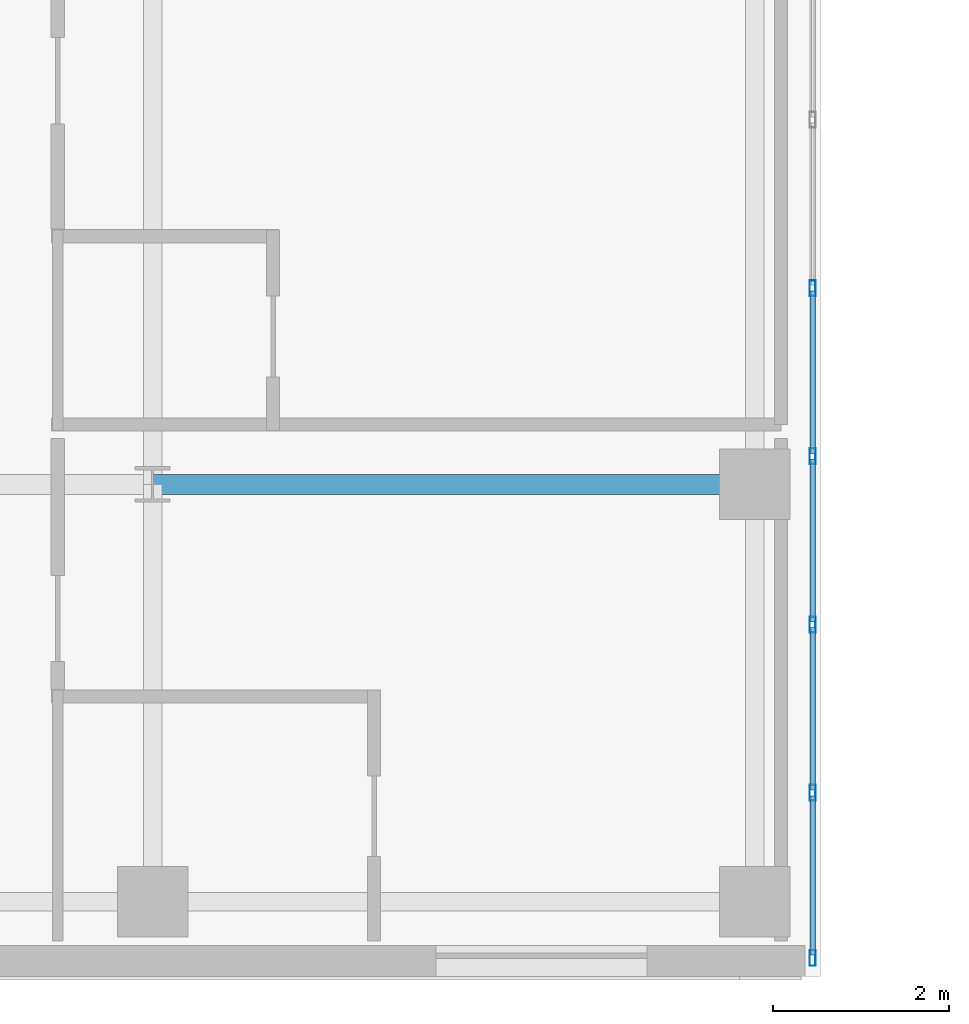
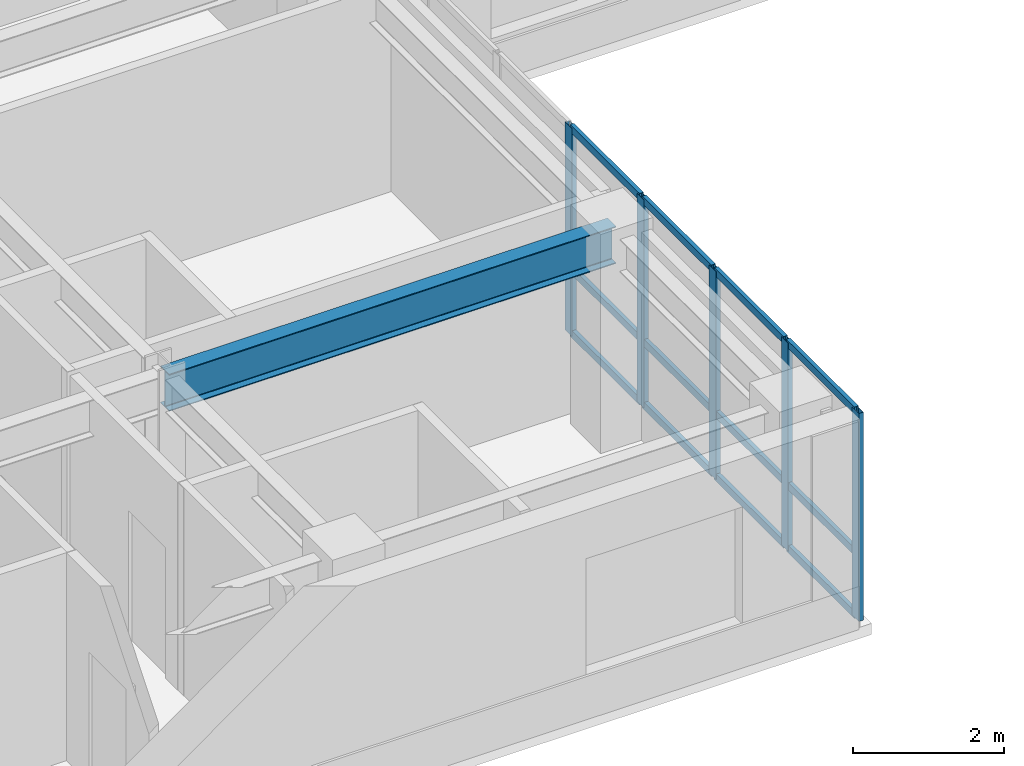
# One storey, part 3 of 20: 17 members, 1 beam, 1 element without a shape of its own.
"""IFC4 building model written with IfcOpenShell, lengths in metres."""

from ifc_helpers import new_model, si_unit, direction, frame, origin, origin_2d, place, context, subcontext, project, spatial, hollow_rectangle, i_section, extrude, source, transform, mapped, material, layer, layer_set, material_profile, profile_set, type_object, type_shapes, element, aggregate, save


model = new_model("IFC4")

# Units and contexts
model_context = context("Model", 3, precision=1e-05, world=origin(), true_north=direction((0.0, 1.0)))
body_context = subcontext(model_context, "Body", "Model", "MODEL_VIEW")
ifc_project = project(units=[si_unit("LENGTHUNIT", "METRE"), si_unit("AREAUNIT", "SQUARE_METRE"), si_unit("VOLUMEUNIT", "CUBIC_METRE"), si_unit("PLANEANGLEUNIT", "RADIAN"), si_unit("MASSUNIT", "GRAM", prefix="KILO")], contexts=[model_context])

# Site, building, storey
site_placement = place(None, origin())
site = spatial("IfcSite", under=ifc_project, at=site_placement, CompositionType="ELEMENT")
building_placement = place(site_placement, origin())
building = spatial("IfcBuilding", under=site, at=building_placement, Name="Tolvann Quenvar Hotel", CompositionType="ELEMENT")
storey_placement = place(building_placement, frame((0.0, 0.0, 191.10009765625)))
storey = spatial("IfcBuildingStorey", under=building, at=storey_placement, Name="L50", CompositionType="ELEMENT", Elevation=191.10009765625)

# Beam
ifc_material_1 = material(Name="Steel Grade 350", Category="steel")
ifc_material_profile_1 = material_profile(ifc_material_1, i_section(OverallWidth=0.22802734375, OverallDepth=0.60205078125, WebThickness=0.010498046875, FlangeThickness=0.014892578125, FilletRadius=0.013916015625, at=origin_2d()), Name="610UB101")
ifc_profile_set_1 = profile_set([ifc_material_profile_1], Name="Steel Grade 350")
beam_type = type_object("IfcBeamType", Name="BM_GIRD_610UB101", PredefinedType="BEAM", material=ifc_profile_set_1)
shared_shape_1 = source(origin(), body_context, "Body", "SweptSolid", [
    extrude(i_section(OverallWidth=0.22802734375, OverallDepth=0.60205078125, WebThickness=0.010498046875, FlangeThickness=0.014892578125, FilletRadius=0.013916015625, at=origin_2d()), origin(), (0.0, 0.0, 1.0), 6.85009765625),
])
type_shapes(beam_type, [shared_shape_1])
beam_placement = place(storey_placement, frame((15.199951171875, 8.199951171875, 3.06884765625), z_axis=(1.0, 0.0, 0.0), x_axis=(0.0, 1.0, 0.0)))
element("IfcBeam", 1, at=beam_placement, inside=storey, type_object=beam_type, Name="BM-L50-EW-3-D3-E3", PredefinedType="BEAM", context=body_context, shape_type="MappedRepresentation", body=[
    mapped(shared_shape_1, transform((0.0, 0.0, 0.0), x_axis=(1.0, 0.0, 0.0), y_axis=(0.0, 1.0, 0.0), z_axis=(0.0, 0.0, 1.0), scale=1.0)),
])

# Curtain wall, members
ifc_material_2 = material(Name="Thermally broken anodised architectural aluminium 6063-T6 and laminated low-E glass", Category="aluminium")
ifc_layer = layer(ifc_material_2, 0.179931640625)
ifc_layer_set = layer_set([ifc_layer], Name="Thermally broken anodised architectural aluminium 6063-T6 and laminated low-E glass")
curtain_wall_type = type_object("IfcCurtainWallType", Name="CW_SYS_SLOT_03", PredefinedType="USERDEFINED", material=ifc_layer_set)
curtain_wall_placement = place(storey_placement, origin())
curtain_wall = element("IfcCurtainWall", 2, at=curtain_wall_placement, inside=storey, type_object=curtain_wall_type, Name="Curtain Wall CW-SLOT-03 (CWR-L50-E05)", ObjectType="UNITISED CURTAIN WALL", PredefinedType="USERDEFINED")
ifc_material_3 = material(Name="Anodised architectural aluminium 6063-T6 framing", Category="aluminium")
ifc_material_profile_2 = material_profile(ifc_material_3, hollow_rectangle(XDim=0.070068359375, YDim=0.179931640625, WallThickness=0.00390625, at=origin_2d()), Name="180x70x4RHS")
ifc_profile_set_2 = profile_set([ifc_material_profile_2], Name="Anodised architectural aluminium 6063-T6 framing")
member_type_1 = type_object("IfcMemberType", Name="CW_MULL_180x70", PredefinedType="MULLION", material=ifc_profile_set_2)
shared_shape_2 = source(origin(), body_context, "Body", "SweptSolid", [
    extrude(hollow_rectangle(XDim=0.070068359375, YDim=0.179931640625, WallThickness=0.00390625, at=origin_2d()), origin(), (0.0, 0.0, 1.0), 3.369873046875),
])
type_shapes(member_type_1, [shared_shape_2])
member_1_placement = place(storey_placement, frame((22.7099609375, 2.81005859375, 0.0), z_axis=(0.0, 0.0, 1.0), x_axis=(-1.0, 0.0, 0.0)))
member_1 = element("IfcMember", 3, at=member_1_placement, type_object=member_type_1, Name="CW-SLOT-03 mullion 1", PredefinedType="MULLION", context=body_context, shape_type="MappedRepresentation", body=[
    mapped(shared_shape_2, transform((0.0, 0.0, 0.0), x_axis=(1.0, 0.0, 0.0), y_axis=(0.0, 1.0, 0.0), z_axis=(0.0, 0.0, 1.0), scale=1.0)),
])
member_2_placement = place(storey_placement, frame((22.7099609375, 4.689208984375, 0.0), z_axis=(0.0, 0.0, 1.0), x_axis=(-1.0, 0.0, 0.0)))
member_2 = element("IfcMember", 4, at=member_2_placement, type_object=member_type_1, Name="CW-SLOT-03 mullion 2", PredefinedType="MULLION", context=body_context, shape_type="MappedRepresentation", body=[
    mapped(shared_shape_2, transform((0.0, 0.0, 0.0), x_axis=(1.0, 0.0, 0.0), y_axis=(0.0, 1.0, 0.0), z_axis=(0.0, 0.0, 1.0), scale=1.0)),
])
member_3_placement = place(storey_placement, frame((22.7099609375, 6.603515625, 0.0), z_axis=(0.0, 0.0, 1.0), x_axis=(-1.0, 0.0, 0.0)))
member_3 = element("IfcMember", 5, at=member_3_placement, type_object=member_type_1, Name="CW-SLOT-03 mullion 3", PredefinedType="MULLION", context=body_context, shape_type="MappedRepresentation", body=[
    mapped(shared_shape_2, transform((0.0, 0.0, 0.0), x_axis=(1.0, 0.0, 0.0), y_axis=(0.0, 1.0, 0.0), z_axis=(0.0, 0.0, 1.0), scale=1.0)),
])
member_4_placement = place(storey_placement, frame((22.7099609375, 8.517822265625, 0.0), z_axis=(0.0, 0.0, 1.0), x_axis=(-1.0, 0.0, 0.0)))
member_4 = element("IfcMember", 6, at=member_4_placement, type_object=member_type_1, Name="CW-SLOT-03 mullion 4", PredefinedType="MULLION", context=body_context, shape_type="MappedRepresentation", body=[
    mapped(shared_shape_2, transform((0.0, 0.0, 0.0), x_axis=(1.0, 0.0, 0.0), y_axis=(0.0, 1.0, 0.0), z_axis=(0.0, 0.0, 1.0), scale=1.0)),
])
member_5_placement = place(storey_placement, frame((22.7099609375, 10.43212890625, 0.0), z_axis=(0.0, 0.0, 1.0), x_axis=(-1.0, 0.0, 0.0)))
member_5 = element("IfcMember", 7, at=member_5_placement, type_object=member_type_1, Name="CW-SLOT-03 mullion 5", PredefinedType="MULLION", context=body_context, shape_type="MappedRepresentation", body=[
    mapped(shared_shape_2, transform((0.0, 0.0, 0.0), x_axis=(1.0, 0.0, 0.0), y_axis=(0.0, 1.0, 0.0), z_axis=(0.0, 0.0, 1.0), scale=1.0)),
])
ifc_material_profile_3 = material_profile(ifc_material_3, hollow_rectangle(XDim=0.06005859375, YDim=0.1201171875, WallThickness=0.00341796875, at=origin_2d()), Name="120x60x3.5RHS")
ifc_profile_set_3 = profile_set([ifc_material_profile_3], Name="Anodised architectural aluminium 6063-T6 framing")
member_type_2 = type_object("IfcMemberType", Name="CW_TRAN_120x60", PredefinedType="USERDEFINED", material=ifc_profile_set_3)
shared_shape_3 = source(origin(), body_context, "Body", "SweptSolid", [
    extrude(hollow_rectangle(XDim=0.06005859375, YDim=0.1201171875, WallThickness=0.00341796875, at=origin_2d()), origin(), (0.0, 0.0, 1.0), 1.809326171875),
])
member_6_placement = place(storey_placement, frame((22.7099609375, 2.844970703125, 0.02978515625), z_axis=(0.0, 1.0, 0.0), x_axis=(-1.0, 0.0, 0.0)))
member_6 = element("IfcMember", 8, at=member_6_placement, type_object=member_type_2, Name="CW-SLOT-03 transom 1.1", ObjectType="TRANSOM", PredefinedType="USERDEFINED", context=body_context, shape_type="MappedRepresentation", body=[
    mapped(shared_shape_3, transform((0.0, 0.0, 0.0), x_axis=(1.0, 0.0, 0.0), y_axis=(0.0, 1.0, 0.0), z_axis=(0.0, 0.0, 1.0), scale=1.0)),
])
member_7_placement = place(storey_placement, frame((22.7099609375, 2.844970703125, 1.0498046875), z_axis=(0.0, 1.0, 0.0), x_axis=(-1.0, 0.0, 0.0)))
member_7 = element("IfcMember", 9, at=member_7_placement, type_object=member_type_2, Name="CW-SLOT-03 transom 1.2", ObjectType="TRANSOM", PredefinedType="USERDEFINED", context=body_context, shape_type="MappedRepresentation", body=[
    mapped(shared_shape_3, transform((0.0, 0.0, 0.0), x_axis=(1.0, 0.0, 0.0), y_axis=(0.0, 1.0, 0.0), z_axis=(0.0, 0.0, 1.0), scale=1.0)),
])
member_8_placement = place(storey_placement, frame((22.7099609375, 2.844970703125, 3.33984375), z_axis=(0.0, 1.0, 0.0), x_axis=(-1.0, 0.0, 0.0)))
member_8 = element("IfcMember", 10, at=member_8_placement, type_object=member_type_2, Name="CW-SLOT-03 transom 1.3", ObjectType="TRANSOM", PredefinedType="USERDEFINED", context=body_context, shape_type="MappedRepresentation", body=[
    mapped(shared_shape_3, transform((0.0, 0.0, 0.0), x_axis=(1.0, 0.0, 0.0), y_axis=(0.0, 1.0, 0.0), z_axis=(0.0, 0.0, 1.0), scale=1.0)),
])
shared_shape_4 = source(origin(), body_context, "Body", "SweptSolid", [
    extrude(hollow_rectangle(XDim=0.06005859375, YDim=0.1201171875, WallThickness=0.00341796875, at=origin_2d()), origin(), (0.0, 0.0, 1.0), 1.84423828125),
])
type_shapes(member_type_2, [shared_shape_3, shared_shape_4])
member_9_placement = place(storey_placement, frame((22.7099609375, 4.724365234375, 0.02978515625), z_axis=(0.0, 1.0, 0.0), x_axis=(-1.0, 0.0, 0.0)))
member_9 = element("IfcMember", 11, at=member_9_placement, type_object=member_type_2, Name="CW-SLOT-03 transom 2.1", ObjectType="TRANSOM", PredefinedType="USERDEFINED", context=body_context, shape_type="MappedRepresentation", body=[
    mapped(shared_shape_4, transform((0.0, 0.0, 0.0), x_axis=(1.0, 0.0, 0.0), y_axis=(0.0, 1.0, 0.0), z_axis=(0.0, 0.0, 1.0), scale=1.0)),
])
member_10_placement = place(storey_placement, frame((22.7099609375, 4.724365234375, 1.0498046875), z_axis=(0.0, 1.0, 0.0), x_axis=(-1.0, 0.0, 0.0)))
member_10 = element("IfcMember", 12, at=member_10_placement, type_object=member_type_2, Name="CW-SLOT-03 transom 2.2", ObjectType="TRANSOM", PredefinedType="USERDEFINED", context=body_context, shape_type="MappedRepresentation", body=[
    mapped(shared_shape_4, transform((0.0, 0.0, 0.0), x_axis=(1.0, 0.0, 0.0), y_axis=(0.0, 1.0, 0.0), z_axis=(0.0, 0.0, 1.0), scale=1.0)),
])
member_11_placement = place(storey_placement, frame((22.7099609375, 4.724365234375, 3.33984375), z_axis=(0.0, 1.0, 0.0), x_axis=(-1.0, 0.0, 0.0)))
member_11 = element("IfcMember", 13, at=member_11_placement, type_object=member_type_2, Name="CW-SLOT-03 transom 2.3", ObjectType="TRANSOM", PredefinedType="USERDEFINED", context=body_context, shape_type="MappedRepresentation", body=[
    mapped(shared_shape_4, transform((0.0, 0.0, 0.0), x_axis=(1.0, 0.0, 0.0), y_axis=(0.0, 1.0, 0.0), z_axis=(0.0, 0.0, 1.0), scale=1.0)),
])
member_12_placement = place(storey_placement, frame((22.7099609375, 6.638671875, 0.02978515625), z_axis=(0.0, 1.0, 0.0), x_axis=(-1.0, 0.0, 0.0)))
member_12 = element("IfcMember", 14, at=member_12_placement, type_object=member_type_2, Name="CW-SLOT-03 transom 3.1", ObjectType="TRANSOM", PredefinedType="USERDEFINED", context=body_context, shape_type="MappedRepresentation", body=[
    mapped(shared_shape_4, transform((0.0, 0.0, 0.0), x_axis=(1.0, 0.0, 0.0), y_axis=(0.0, 1.0, 0.0), z_axis=(0.0, 0.0, 1.0), scale=1.0)),
])
member_13_placement = place(storey_placement, frame((22.7099609375, 6.638671875, 1.0498046875), z_axis=(0.0, 1.0, 0.0), x_axis=(-1.0, 0.0, 0.0)))
member_13 = element("IfcMember", 15, at=member_13_placement, type_object=member_type_2, Name="CW-SLOT-03 transom 3.2", ObjectType="TRANSOM", PredefinedType="USERDEFINED", context=body_context, shape_type="MappedRepresentation", body=[
    mapped(shared_shape_4, transform((0.0, 0.0, 0.0), x_axis=(1.0, 0.0, 0.0), y_axis=(0.0, 1.0, 0.0), z_axis=(0.0, 0.0, 1.0), scale=1.0)),
])
member_14_placement = place(storey_placement, frame((22.7099609375, 6.638671875, 3.33984375), z_axis=(0.0, 1.0, 0.0), x_axis=(-1.0, 0.0, 0.0)))
member_14 = element("IfcMember", 16, at=member_14_placement, type_object=member_type_2, Name="CW-SLOT-03 transom 3.3", ObjectType="TRANSOM", PredefinedType="USERDEFINED", context=body_context, shape_type="MappedRepresentation", body=[
    mapped(shared_shape_4, transform((0.0, 0.0, 0.0), x_axis=(1.0, 0.0, 0.0), y_axis=(0.0, 1.0, 0.0), z_axis=(0.0, 0.0, 1.0), scale=1.0)),
])
member_15_placement = place(storey_placement, frame((22.7099609375, 8.552978515625, 0.02978515625), z_axis=(0.0, 1.0, 0.0), x_axis=(-1.0, 0.0, 0.0)))
member_15 = element("IfcMember", 17, at=member_15_placement, type_object=member_type_2, Name="CW-SLOT-03 transom 4.1", ObjectType="TRANSOM", PredefinedType="USERDEFINED", context=body_context, shape_type="MappedRepresentation", body=[
    mapped(shared_shape_4, transform((0.0, 0.0, 0.0), x_axis=(1.0, 0.0, 0.0), y_axis=(0.0, 1.0, 0.0), z_axis=(0.0, 0.0, 1.0), scale=1.0)),
])
member_16_placement = place(storey_placement, frame((22.7099609375, 8.552978515625, 1.0498046875), z_axis=(0.0, 1.0, 0.0), x_axis=(-1.0, 0.0, 0.0)))
member_16 = element("IfcMember", 18, at=member_16_placement, type_object=member_type_2, Name="CW-SLOT-03 transom 4.2", ObjectType="TRANSOM", PredefinedType="USERDEFINED", context=body_context, shape_type="MappedRepresentation", body=[
    mapped(shared_shape_4, transform((0.0, 0.0, 0.0), x_axis=(1.0, 0.0, 0.0), y_axis=(0.0, 1.0, 0.0), z_axis=(0.0, 0.0, 1.0), scale=1.0)),
])
member_17_placement = place(storey_placement, frame((22.7099609375, 8.552978515625, 3.33984375), z_axis=(0.0, 1.0, 0.0), x_axis=(-1.0, 0.0, 0.0)))
member_17 = element("IfcMember", 19, at=member_17_placement, type_object=member_type_2, Name="CW-SLOT-03 transom 4.3", ObjectType="TRANSOM", PredefinedType="USERDEFINED", context=body_context, shape_type="MappedRepresentation", body=[
    mapped(shared_shape_4, transform((0.0, 0.0, 0.0), x_axis=(1.0, 0.0, 0.0), y_axis=(0.0, 1.0, 0.0), z_axis=(0.0, 0.0, 1.0), scale=1.0)),
])
aggregate(curtain_wall, [member_1, member_2, member_3, member_4, member_5, member_6, member_7, member_8, member_9, member_10, member_11, member_12, member_13, member_14, member_15, member_16, member_17])

save(model, "model.ifc")
